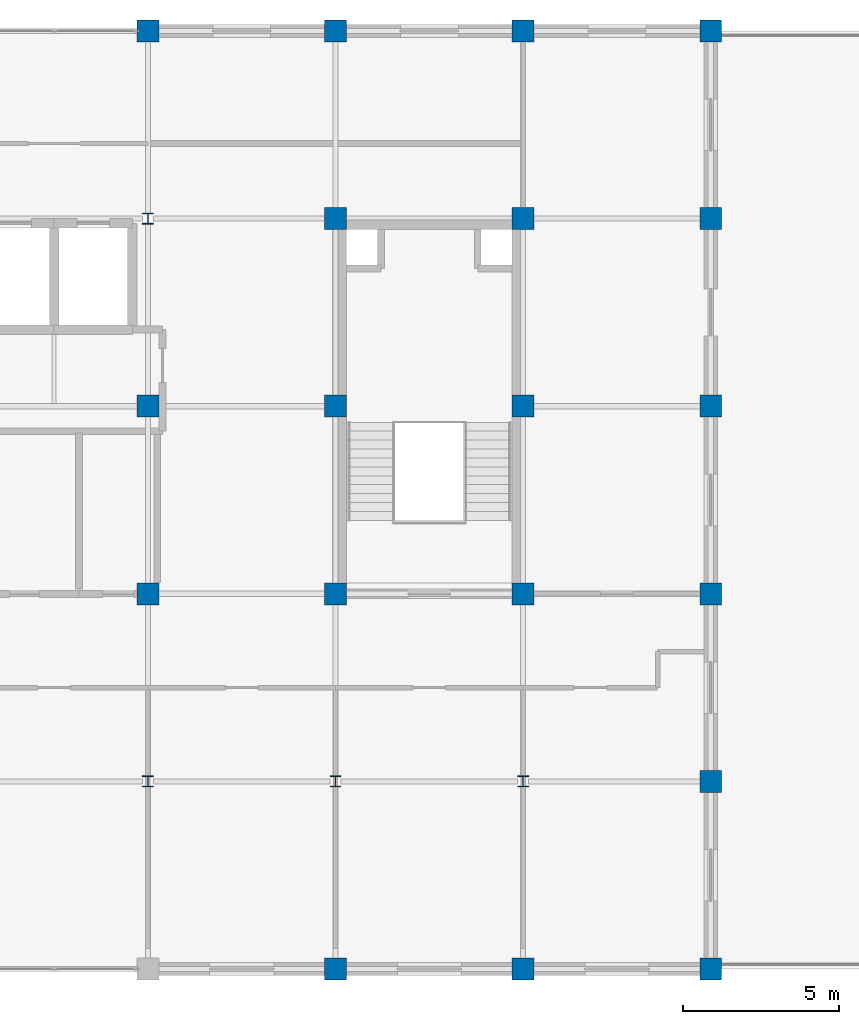
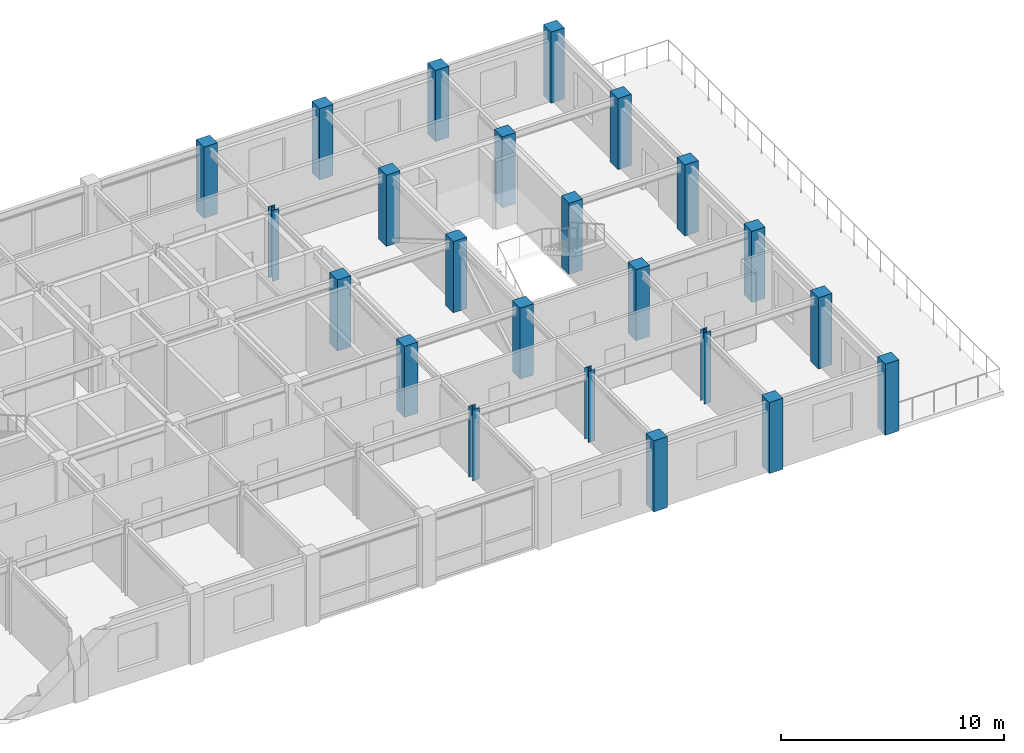
# One storey, part 2 of 15: 23 columns.
"""IFC4 building model written with IfcOpenShell, lengths in metres."""

import ifcopenshell
import ifcopenshell.guid

model = None  # the IFC model being written
_history = None  # IfcOwnerHistory: only IFC2X3 demands one
_inside = {}  # id of a spatial element -> (the spatial element, [elements in it])
_under = {}  # id of a project, library or spatial element -> (it, [spatial elements below it])
_declared = {}  # id of a project -> (the project, [libraries it declares])
_typed = {}  # id of a type object -> (the type object, [elements of that type])
_made_of = {}  # id of a material, layer set ... -> (it, [elements and type objects made of it])


def new_model(schema):
    """Start an empty IFC model of exactly this schema.

    Asked for "IFC4X3", IfcOpenShell would pick the latest addendum, in which some entities
    have other attributes; the version numbers below select the first issue.
    IFC2X3 requires an IfcOwnerHistory on every rooted entity: one is made here for all.
    """
    global model, _history
    if schema == "IFC4X3":
        model = ifcopenshell.file(schema_version=(4, 3, 0, 0))
    else:
        model = ifcopenshell.file(schema=schema)
    _inside.clear()
    _under.clear()
    _declared.clear()
    _typed.clear()
    _made_of.clear()
    _history = None
    if model.schema == "IFC2X3":
        org = make("IfcOrganization", Name="unknown")
        user = make(
            "IfcPersonAndOrganization",
            ThePerson=make("IfcPerson", FamilyName="unknown"),
            TheOrganization=org,
        )
        app = make(
            "IfcApplication",
            ApplicationDeveloper=org,
            Version="unknown",
            ApplicationFullName="unknown",
            ApplicationIdentifier="unknown",
        )
        _history = make(
            "IfcOwnerHistory",
            OwningUser=user,
            OwningApplication=app,
            ChangeAction="ADDED",
            CreationDate=0,
        )
    return model


def make(cls, **values):
    """One entity of the class cls with the attributes given. An attribute that is None is left unset."""
    return model.create_entity(
        cls, **{name: value for name, value in values.items() if value is not None}
    )


def rooted(cls, **values):
    """An entity with a GlobalId (a new one), such as an element, a storey or a relation."""
    return make(cls, GlobalId=ifcopenshell.guid.new(), OwnerHistory=_history, **values)


def si_unit(unit_type, name, prefix=None):
    """IfcSIUnit, for example si_unit("LENGTHUNIT", "METRE", prefix="MILLI")."""
    return make("IfcSIUnit", UnitType=unit_type, Prefix=prefix, Name=name)


def assignment(units):
    """IfcUnitAssignment: the units of a project."""
    return None if units is None else make("IfcUnitAssignment", Units=units)


def point(xyz):
    """IfcCartesianPoint."""
    return None if xyz is None else make("IfcCartesianPoint", Coordinates=xyz)


def direction(xyz):
    """IfcDirection."""
    return None if xyz is None else make("IfcDirection", DirectionRatios=xyz)


def frame(location, z_axis=None, x_axis=None):
    """IfcAxis2Placement3D, a coordinate frame: its origin and axes. An axis left out is left unset."""
    return make(
        "IfcAxis2Placement3D",
        Location=point(location),
        Axis=direction(z_axis),
        RefDirection=direction(x_axis),
    )


def frame_2d(location, x_axis=None):
    """IfcAxis2Placement2D, a coordinate frame in the plane: its origin and x axis."""
    return make(
        "IfcAxis2Placement2D", Location=point(location), RefDirection=direction(x_axis)
    )


def origin():
    """The frame at (0, 0, 0) with its axes left unset."""
    return frame((0.0, 0.0, 0.0))


def origin_2d():
    """The frame at (0, 0) in the plane with its x axis left unset."""
    return frame_2d((0.0, 0.0))


def place(relative_to, where):
    """IfcLocalPlacement: puts the frame where relative to a parent placement (None: the world)."""
    return make(
        "IfcLocalPlacement", PlacementRelTo=relative_to, RelativePlacement=where
    )


def context(
    kind, dimensions, precision=None, world=None, true_north=None, identifier=None
):
    """IfcGeometricRepresentationContext, for example the 3D "Model" context."""
    return make(
        "IfcGeometricRepresentationContext",
        ContextIdentifier=identifier,
        ContextType=kind,
        CoordinateSpaceDimension=dimensions,
        Precision=precision,
        WorldCoordinateSystem=world,
        TrueNorth=true_north,
    )


def subcontext(parent, identifier, kind, view, scale=None):
    """IfcGeometricRepresentationSubContext, for example "Body" below "Model"."""
    return make(
        "IfcGeometricRepresentationSubContext",
        ContextIdentifier=identifier,
        ContextType=kind,
        ParentContext=parent,
        TargetScale=scale,
        TargetView=view,
    )


def project(units=None, contexts=None):
    """IfcProject with its units and contexts."""
    return rooted(
        "IfcProject",
        Name="project",
        RepresentationContexts=contexts,
        UnitsInContext=assignment(units),
    )


def spatial(cls, under=None, at=None, **own):
    """A site, building, storey or space (cls), placed at a placement, below another one or the project."""
    s = rooted(cls, ObjectPlacement=at, **own)
    if under is not None:
        _under.setdefault(under.id(), (under, []))[1].append(s)
    return s


def profile(cls, at=None, kind="AREA", **sizes):
    """A parametric profile (cls). Its sizes go by their IFC names, for example OverallWidth=200.0."""
    return make(cls, ProfileType=kind, Position=at, **sizes)


def rectangle(**sizes):
    """IfcRectangleProfileDef."""
    return profile("IfcRectangleProfileDef", **sizes)


def i_section(**sizes):
    """IfcIShapeProfileDef."""
    return profile("IfcIShapeProfileDef", **sizes)


def extrude(swept, where, along, depth):
    """IfcExtrudedAreaSolid: the profile swept, set in the frame where, extruded along a direction by depth."""
    return make(
        "IfcExtrudedAreaSolid",
        SweptArea=swept,
        Position=where,
        ExtrudedDirection=direction(along),
        Depth=depth,
    )


def shape(context_of_items, identifier, shape_type, items):
    """IfcShapeRepresentation: the items that make up one representation, for example the "Body"."""
    return make(
        "IfcShapeRepresentation",
        ContextOfItems=context_of_items,
        RepresentationIdentifier=identifier,
        RepresentationType=shape_type,
        Items=items,
    )


def material(Name=None, Category=None):
    """IfcMaterial."""
    return make("IfcMaterial", Name=Name, Category=Category)


def material_profile(
    of_material, cross_section, Name=None, Category=None, Priority=None
):
    """IfcMaterialProfile: a cross section and its material."""
    return make(
        "IfcMaterialProfile",
        Name=Name,
        Material=of_material,
        Profile=cross_section,
        Priority=Priority,
        Category=Category,
    )


def profile_set(profiles, Name=None, composite=None):
    """IfcMaterialProfileSet."""
    return make(
        "IfcMaterialProfileSet",
        Name=Name,
        MaterialProfiles=profiles,
        CompositeProfile=composite,
    )


def made_of(thing, what):
    """Note that an element or type object is made of a material, layer set ...; save() writes the relation."""
    if what is not None:
        _made_of.setdefault(what.id(), (what, []))[1].append(thing)
    return thing


def type_object(cls, material=None, **own):
    """A type object (cls), such as IfcWallType, which elements share."""
    return made_of(rooted(cls, **own), material)


def element(
    cls,
    number,
    at=None,
    inside=None,
    cuts=None,
    type_object=None,
    material=None,
    context=None,
    identifier="Body",
    shape_type=None,
    held_by="IfcProductDefinitionShape",
    body=None,
    shapes=None,
    **own,
):
    """One element of the class cls, such as IfcWall. Its Tag is "e" and its number.

    at: its placement. inside: the storey or other place that contains it. cuts: it is an
    opening in that element (IfcRelVoidsElement). A single representation is given by context,
    identifier, shape_type and body (its items); several are given by shapes. held_by: the class
    of the entity that holds the representations. save() writes the other relations.
    """
    e = rooted(cls, Tag="e%d" % number, ObjectPlacement=at, **own)
    if body is not None:
        shapes = [shape(context, identifier, shape_type, body)]
    if shapes is not None:
        e.Representation = make(held_by, Representations=shapes)
    if inside is not None:
        _inside.setdefault(inside.id(), (inside, []))[1].append(e)
    if cuts is not None:
        rooted(
            "IfcRelVoidsElement", RelatingBuildingElement=cuts, RelatedOpeningElement=e
        )
    if type_object is not None:
        _typed.setdefault(type_object.id(), (type_object, []))[1].append(e)
    return made_of(e, material)


def aggregate(whole, parts):
    """IfcRelAggregates: a whole, such as a stair, and the parts it consists of."""
    return rooted("IfcRelAggregates", RelatingObject=whole, RelatedObjects=parts)


def save(model, path):
    """Write the relations noted so far, then the file.

    IfcRelAggregates (storeys below a building ...), IfcRelContainedInSpatialStructure (elements
    in a storey), IfcRelDefinesByType, IfcRelAssociatesMaterial and IfcRelDeclares: one each for
    every whole, place, type object, material and project.
    """
    for whole, parts in _under.values():
        aggregate(whole, parts)
    for where, things in _inside.values():
        rooted(
            "IfcRelContainedInSpatialStructure",
            RelatedElements=things,
            RelatingStructure=where,
        )
    for kind, things in _typed.values():
        rooted("IfcRelDefinesByType", RelatedObjects=things, RelatingType=kind)
    for what, things in _made_of.values():
        rooted("IfcRelAssociatesMaterial", RelatedObjects=things, RelatingMaterial=what)
    for by, libraries in _declared.values():
        rooted("IfcRelDeclares", RelatingContext=by, RelatedDefinitions=libraries)
    model.write(path)


model = new_model("IFC4")

# Units and contexts
model_context = context("Model", 3, precision=1e-05, world=origin(), true_north=direction((0.0, 1.0)))
body_context = subcontext(model_context, "Body", "Model", "MODEL_VIEW")
ifc_project = project(units=[si_unit("LENGTHUNIT", "METRE"), si_unit("AREAUNIT", "SQUARE_METRE"), si_unit("VOLUMEUNIT", "CUBIC_METRE"), si_unit("PLANEANGLEUNIT", "RADIAN"), si_unit("MASSUNIT", "GRAM", prefix="KILO")], contexts=[model_context])

# Site, building, storey
site_placement = place(None, origin())
site = spatial("IfcSite", under=ifc_project, at=site_placement, CompositionType="ELEMENT")
building_placement = place(site_placement, origin())
building = spatial("IfcBuilding", under=site, at=building_placement, Name="Zlatovratsky Civic Hall", CompositionType="ELEMENT")
storey_placement = place(building_placement, frame((0.0, 0.0, 36.60009765625)))
storey = spatial("IfcBuildingStorey", under=building, at=storey_placement, Name="L09", CompositionType="ELEMENT", Elevation=36.60009765625)

# Columns
ifc_material_1 = material(Name="Concrete C35/45 (B40)", Category="concrete")
ifc_material_profile_1 = material_profile(ifc_material_1, rectangle(XDim=0.699951171875, YDim=0.699951171875, at=origin_2d()), Name="RC 700x700")
ifc_profile_set_1 = profile_set([ifc_material_profile_1], Name="Concrete C35/45 (B40)")
column_type_1 = type_object("IfcColumnType", Name="Col_CorePier_RC700", PredefinedType="COLUMN", material=ifc_profile_set_1)
for number, where, z_axis, x_axis, name in (
    (1, (96.0, 72.0, 0.0), (0.0, 0.0, 1.0), (1.0, 0.0, 0.0), "CL-2255"),
    (2, (102.0, 72.0, 0.0), (0.0, 0.0, 1.0), (1.0, 0.0, 0.0), "CL-2256"),
    (3, (108.0, 72.0, 0.0), (0.0, 0.0, 1.0), (1.0, 0.0, 0.0), "CL-2257"),
    (4, (108.0, 78.0, 0.0), (0.0, 0.0, 1.0), (1.0, 0.0, 0.0), "CL-2266"),
    (5, (90.0, 84.0, 0.0), (0.0, 0.0, 1.0), (1.0, 0.0, 0.0), "CL-2272"),
    (6, (96.0, 84.0, 0.0), (0.0, 0.0, 1.0), (1.0, 0.0, 0.0), "CL-2273"),
    (7, (102.0, 84.0, 0.0), (0.0, 0.0, 1.0), (1.0, 0.0, 0.0), "CL-2274"),
    (8, (108.0, 84.0, 0.0), (0.0, 0.0, 1.0), (1.0, 0.0, 0.0), "CL-2275"),
    (9, (90.0, 90.0, 0.0), (0.0, 0.0, 1.0), (1.0, 0.0, 0.0), "CL-2281"),
    (10, (96.0, 90.0, 0.0), (0.0, 0.0, 1.0), (1.0, 0.0, 0.0), "CL-2282"),
    (11, (102.0, 90.0, 0.0), (0.0, 0.0, 1.0), (1.0, 0.0, 0.0), "CL-2283"),
    (12, (108.0, 90.0, 0.0), (0.0, 0.0, 1.0), (1.0, 0.0, 0.0), "CL-2284"),
    (13, (96.0, 96.0, 0.0), (0.0, 0.0, 1.0), (1.0, 0.0, 0.0), "CL-2291"),
    (14, (102.0, 96.0, 0.0), (0.0, 0.0, 1.0), (1.0, 0.0, 0.0), "CL-2292"),
    (15, (108.0, 96.0, 0.0), (0.0, 0.0, 1.0), (1.0, 0.0, 0.0), "CL-2293"),
    (16, (90.0, 102.0, 0.0), (0.0, 0.0, 1.0), (1.0, 0.0, 0.0), "CL-2299"),
    (17, (96.0, 102.0, 0.0), (0.0, 0.0, 1.0), (1.0, 0.0, 0.0), "CL-2300"),
    (18, (102.0, 102.0, 0.0), (0.0, 0.0, 1.0), (1.0, 0.0, 0.0), "CL-2301"),
    (19, (108.0, 102.0, 0.0), (0.0, 0.0, 1.0), (1.0, 0.0, 0.0), "CL-2302"),
):
    element("IfcColumn", number, at=place(storey_placement, frame(where, z_axis=z_axis, x_axis=x_axis)), inside=storey, type_object=column_type_1, Name=name, PredefinedType="COLUMN", context=body_context, shape_type="SweptSolid", body=[
        extrude(rectangle(XDim=0.699951171875, YDim=0.699951171875, at=origin_2d()), origin(), (0.0, 0.0, 1.0), 3.89990234375),
    ])
ifc_material_2 = material(Name="Steel S355", Category="steel")
ifc_material_profile_2 = material_profile(ifc_material_2, i_section(OverallWidth=0.35009765625, OverallDepth=0.35009765625, WebThickness=0.011962890625, FlangeThickness=0.01904296875, FilletRadius=0.02001953125, at=origin_2d()), Name="35K2")
ifc_profile_set_2 = profile_set([ifc_material_profile_2], Name="Steel S355")
column_type_2 = type_object("IfcColumnType", Name="Col_Steel_35K2", PredefinedType="COLUMN", material=ifc_profile_set_2)
for number, where, z_axis, x_axis, name in (
    (20, (90.0, 78.0, 0.0), (0.0, 0.0, 1.0), (1.0, 0.0, 0.0), "CL-2263"),
    (21, (96.0, 78.0, 0.0), (0.0, 0.0, 1.0), (1.0, 0.0, 0.0), "CL-2264"),
    (22, (102.0, 78.0, 0.0), (0.0, 0.0, 1.0), (1.0, 0.0, 0.0), "CL-2265"),
    (23, (90.0, 96.0, 0.0), (0.0, 0.0, 1.0), (1.0, 0.0, 0.0), "CL-2290"),
):
    element("IfcColumn", number, at=place(storey_placement, frame(where, z_axis=z_axis, x_axis=x_axis)), inside=storey, type_object=column_type_2, Name=name, PredefinedType="COLUMN", context=body_context, shape_type="SweptSolid", body=[
        extrude(i_section(OverallWidth=0.35009765625, OverallDepth=0.35009765625, WebThickness=0.011962890625, FlangeThickness=0.01904296875, FilletRadius=0.02001953125, at=origin_2d()), origin(), (0.0, 0.0, 1.0), 3.89990234375),
    ])

save(model, "model.ifc")
